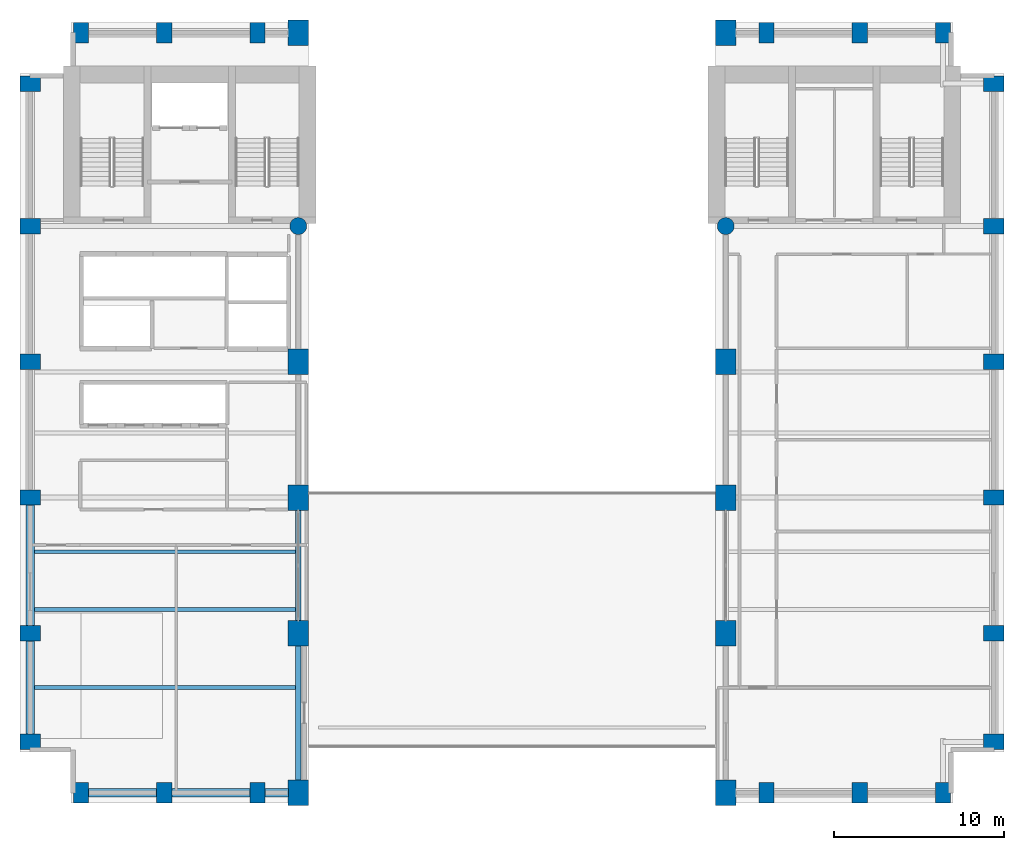
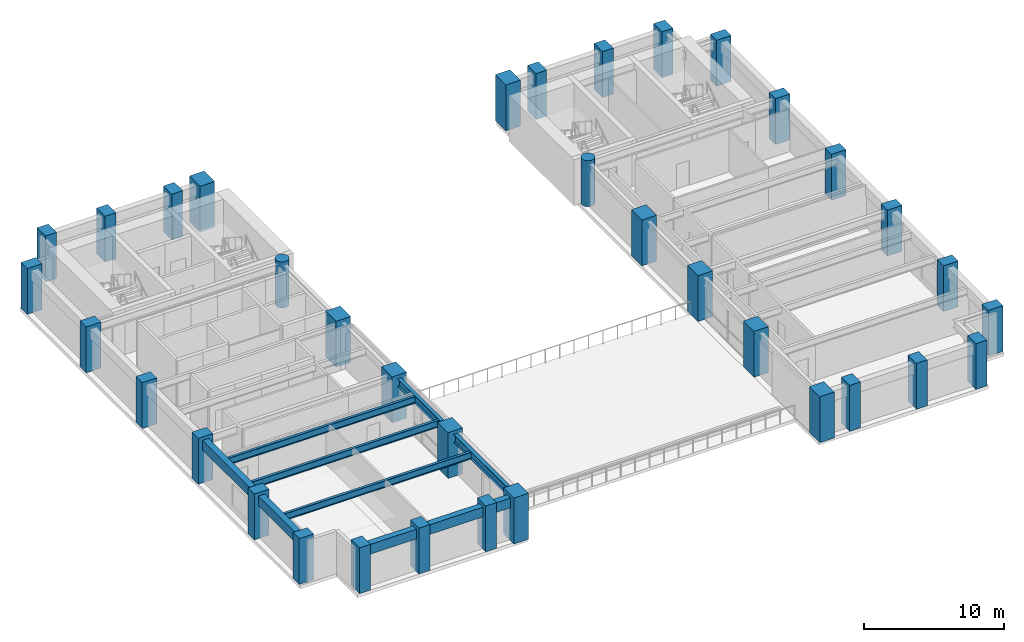
# One storey, part 1 of 10: 36 columns, 9 beams.
"""IFC4 building model written with IfcOpenShell, lengths in metres."""

import ifcopenshell
import ifcopenshell.guid

model = None  # the IFC model being written
_history = None  # IfcOwnerHistory: only IFC2X3 demands one
_inside = {}  # id of a spatial element -> (the spatial element, [elements in it])
_under = {}  # id of a project, library or spatial element -> (it, [spatial elements below it])
_declared = {}  # id of a project -> (the project, [libraries it declares])
_typed = {}  # id of a type object -> (the type object, [elements of that type])
_made_of = {}  # id of a material, layer set ... -> (it, [elements and type objects made of it])


def new_model(schema):
    """Start an empty IFC model of exactly this schema.

    Asked for "IFC4X3", IfcOpenShell would pick the latest addendum, in which some entities
    have other attributes; the version numbers below select the first issue.
    IFC2X3 requires an IfcOwnerHistory on every rooted entity: one is made here for all.
    """
    global model, _history
    if schema == "IFC4X3":
        model = ifcopenshell.file(schema_version=(4, 3, 0, 0))
    else:
        model = ifcopenshell.file(schema=schema)
    _inside.clear()
    _under.clear()
    _declared.clear()
    _typed.clear()
    _made_of.clear()
    _history = None
    if model.schema == "IFC2X3":
        org = make("IfcOrganization", Name="unknown")
        user = make(
            "IfcPersonAndOrganization",
            ThePerson=make("IfcPerson", FamilyName="unknown"),
            TheOrganization=org,
        )
        app = make(
            "IfcApplication",
            ApplicationDeveloper=org,
            Version="unknown",
            ApplicationFullName="unknown",
            ApplicationIdentifier="unknown",
        )
        _history = make(
            "IfcOwnerHistory",
            OwningUser=user,
            OwningApplication=app,
            ChangeAction="ADDED",
            CreationDate=0,
        )
    return model


def make(cls, **values):
    """One entity of the class cls with the attributes given. An attribute that is None is left unset."""
    return model.create_entity(
        cls, **{name: value for name, value in values.items() if value is not None}
    )


def rooted(cls, **values):
    """An entity with a GlobalId (a new one), such as an element, a storey or a relation."""
    return make(cls, GlobalId=ifcopenshell.guid.new(), OwnerHistory=_history, **values)


def si_unit(unit_type, name, prefix=None):
    """IfcSIUnit, for example si_unit("LENGTHUNIT", "METRE", prefix="MILLI")."""
    return make("IfcSIUnit", UnitType=unit_type, Prefix=prefix, Name=name)


def assignment(units):
    """IfcUnitAssignment: the units of a project."""
    return None if units is None else make("IfcUnitAssignment", Units=units)


def point(xyz):
    """IfcCartesianPoint."""
    return None if xyz is None else make("IfcCartesianPoint", Coordinates=xyz)


def direction(xyz):
    """IfcDirection."""
    return None if xyz is None else make("IfcDirection", DirectionRatios=xyz)


def frame(location, z_axis=None, x_axis=None):
    """IfcAxis2Placement3D, a coordinate frame: its origin and axes. An axis left out is left unset."""
    return make(
        "IfcAxis2Placement3D",
        Location=point(location),
        Axis=direction(z_axis),
        RefDirection=direction(x_axis),
    )


def frame_2d(location, x_axis=None):
    """IfcAxis2Placement2D, a coordinate frame in the plane: its origin and x axis."""
    return make(
        "IfcAxis2Placement2D", Location=point(location), RefDirection=direction(x_axis)
    )


def origin():
    """The frame at (0, 0, 0) with its axes left unset."""
    return frame((0.0, 0.0, 0.0))


def origin_2d():
    """The frame at (0, 0) in the plane with its x axis left unset."""
    return frame_2d((0.0, 0.0))


def place(relative_to, where):
    """IfcLocalPlacement: puts the frame where relative to a parent placement (None: the world)."""
    return make(
        "IfcLocalPlacement", PlacementRelTo=relative_to, RelativePlacement=where
    )


def context(
    kind, dimensions, precision=None, world=None, true_north=None, identifier=None
):
    """IfcGeometricRepresentationContext, for example the 3D "Model" context."""
    return make(
        "IfcGeometricRepresentationContext",
        ContextIdentifier=identifier,
        ContextType=kind,
        CoordinateSpaceDimension=dimensions,
        Precision=precision,
        WorldCoordinateSystem=world,
        TrueNorth=true_north,
    )


def subcontext(parent, identifier, kind, view, scale=None):
    """IfcGeometricRepresentationSubContext, for example "Body" below "Model"."""
    return make(
        "IfcGeometricRepresentationSubContext",
        ContextIdentifier=identifier,
        ContextType=kind,
        ParentContext=parent,
        TargetScale=scale,
        TargetView=view,
    )


def project(units=None, contexts=None):
    """IfcProject with its units and contexts."""
    return rooted(
        "IfcProject",
        Name="project",
        RepresentationContexts=contexts,
        UnitsInContext=assignment(units),
    )


def spatial(cls, under=None, at=None, **own):
    """A site, building, storey or space (cls), placed at a placement, below another one or the project."""
    s = rooted(cls, ObjectPlacement=at, **own)
    if under is not None:
        _under.setdefault(under.id(), (under, []))[1].append(s)
    return s


def profile(cls, at=None, kind="AREA", **sizes):
    """A parametric profile (cls). Its sizes go by their IFC names, for example OverallWidth=200.0."""
    return make(cls, ProfileType=kind, Position=at, **sizes)


def rectangle(**sizes):
    """IfcRectangleProfileDef."""
    return profile("IfcRectangleProfileDef", **sizes)


def circle(**sizes):
    """IfcCircleProfileDef."""
    return profile("IfcCircleProfileDef", **sizes)


def i_section(**sizes):
    """IfcIShapeProfileDef."""
    return profile("IfcIShapeProfileDef", **sizes)


def extrude(swept, where, along, depth):
    """IfcExtrudedAreaSolid: the profile swept, set in the frame where, extruded along a direction by depth."""
    return make(
        "IfcExtrudedAreaSolid",
        SweptArea=swept,
        Position=where,
        ExtrudedDirection=direction(along),
        Depth=depth,
    )


def shape(context_of_items, identifier, shape_type, items):
    """IfcShapeRepresentation: the items that make up one representation, for example the "Body"."""
    return make(
        "IfcShapeRepresentation",
        ContextOfItems=context_of_items,
        RepresentationIdentifier=identifier,
        RepresentationType=shape_type,
        Items=items,
    )


def material(Name=None, Category=None):
    """IfcMaterial."""
    return make("IfcMaterial", Name=Name, Category=Category)


def material_profile(
    of_material, cross_section, Name=None, Category=None, Priority=None
):
    """IfcMaterialProfile: a cross section and its material."""
    return make(
        "IfcMaterialProfile",
        Name=Name,
        Material=of_material,
        Profile=cross_section,
        Priority=Priority,
        Category=Category,
    )


def profile_set(profiles, Name=None, composite=None):
    """IfcMaterialProfileSet."""
    return make(
        "IfcMaterialProfileSet",
        Name=Name,
        MaterialProfiles=profiles,
        CompositeProfile=composite,
    )


def made_of(thing, what):
    """Note that an element or type object is made of a material, layer set ...; save() writes the relation."""
    if what is not None:
        _made_of.setdefault(what.id(), (what, []))[1].append(thing)
    return thing


def type_object(cls, material=None, **own):
    """A type object (cls), such as IfcWallType, which elements share."""
    return made_of(rooted(cls, **own), material)


def element(
    cls,
    number,
    at=None,
    inside=None,
    cuts=None,
    type_object=None,
    material=None,
    context=None,
    identifier="Body",
    shape_type=None,
    held_by="IfcProductDefinitionShape",
    body=None,
    shapes=None,
    **own,
):
    """One element of the class cls, such as IfcWall. Its Tag is "e" and its number.

    at: its placement. inside: the storey or other place that contains it. cuts: it is an
    opening in that element (IfcRelVoidsElement). A single representation is given by context,
    identifier, shape_type and body (its items); several are given by shapes. held_by: the class
    of the entity that holds the representations. save() writes the other relations.
    """
    e = rooted(cls, Tag="e%d" % number, ObjectPlacement=at, **own)
    if body is not None:
        shapes = [shape(context, identifier, shape_type, body)]
    if shapes is not None:
        e.Representation = make(held_by, Representations=shapes)
    if inside is not None:
        _inside.setdefault(inside.id(), (inside, []))[1].append(e)
    if cuts is not None:
        rooted(
            "IfcRelVoidsElement", RelatingBuildingElement=cuts, RelatedOpeningElement=e
        )
    if type_object is not None:
        _typed.setdefault(type_object.id(), (type_object, []))[1].append(e)
    return made_of(e, material)


def aggregate(whole, parts):
    """IfcRelAggregates: a whole, such as a stair, and the parts it consists of."""
    return rooted("IfcRelAggregates", RelatingObject=whole, RelatedObjects=parts)


def save(model, path):
    """Write the relations noted so far, then the file.

    IfcRelAggregates (storeys below a building ...), IfcRelContainedInSpatialStructure (elements
    in a storey), IfcRelDefinesByType, IfcRelAssociatesMaterial and IfcRelDeclares: one each for
    every whole, place, type object, material and project.
    """
    for whole, parts in _under.values():
        aggregate(whole, parts)
    for where, things in _inside.values():
        rooted(
            "IfcRelContainedInSpatialStructure",
            RelatedElements=things,
            RelatingStructure=where,
        )
    for kind, things in _typed.values():
        rooted("IfcRelDefinesByType", RelatedObjects=things, RelatingType=kind)
    for what, things in _made_of.values():
        rooted("IfcRelAssociatesMaterial", RelatedObjects=things, RelatingMaterial=what)
    for by, libraries in _declared.values():
        rooted("IfcRelDeclares", RelatingContext=by, RelatedDefinitions=libraries)
    model.write(path)


model = new_model("IFC4")

# Units and contexts
model_context = context("Model", 3, precision=1e-05, world=origin(), true_north=direction((0.0, 1.0)))
body_context = subcontext(model_context, "Body", "Model", "MODEL_VIEW")
ifc_project = project(units=[si_unit("LENGTHUNIT", "METRE"), si_unit("AREAUNIT", "SQUARE_METRE"), si_unit("VOLUMEUNIT", "CUBIC_METRE"), si_unit("PLANEANGLEUNIT", "RADIAN"), si_unit("MASSUNIT", "GRAM", prefix="KILO")], contexts=[model_context])

# Site, building, storey
site_placement = place(None, origin())
site = spatial("IfcSite", under=ifc_project, at=site_placement, CompositionType="ELEMENT")
building_placement = place(site_placement, origin())
building = spatial("IfcBuilding", under=site, at=building_placement, Name="Sulina Concourse Tower", CompositionType="ELEMENT")
storey_placement = place(building_placement, frame((0.0, 0.0, 22.60009765625)))
storey = spatial("IfcBuildingStorey", under=building, at=storey_placement, Name="L05", CompositionType="ELEMENT", Elevation=22.60009765625)

# Columns
ifc_material_1 = material(Name="Concrete C60/75", Category="concrete")
ifc_material_profile_1 = material_profile(ifc_material_1, circle(Radius=0.5, at=origin_2d()), Name="RC D1000")
ifc_profile_set_1 = profile_set([ifc_material_profile_1], Name="Concrete C60/75")
column_type_1 = type_object("IfcColumnType", Name="Lower Interior Circular Column D1000", PredefinedType="COLUMN", material=ifc_profile_set_1)
for number, where, z_axis, x_axis, name in (
    (1, (16.39990234375, 34.0, 0.0), (0.0, 0.0, 1.0), (1.0, 0.0, 0.0), "L05 structural column IC-N-164"),
    (2, (41.60009765625, 34.0, 0.0), (0.0, 0.0, 1.0), (1.0, 0.0, 0.0), "L05 structural column IC-N-416"),
):
    element("IfcColumn", number, at=place(storey_placement, frame(where, z_axis=z_axis, x_axis=x_axis)), inside=storey, type_object=column_type_1, Name=name, PredefinedType="COLUMN", context=body_context, shape_type="SweptSolid", body=[
        extrude(circle(Radius=0.5, at=origin_2d()), origin(), (0.0, 0.0, 1.0), 4.0),
    ])
ifc_material_2 = material(Name="Concrete C80/95", Category="concrete")
ifc_material_profile_2 = material_profile(ifc_material_2, rectangle(XDim=1.199951171875, YDim=1.5, at=origin_2d()), Name="RC 1200x1500")
ifc_profile_set_2 = profile_set([ifc_material_profile_2], Name="Concrete C80/95")
column_type_2 = type_object("IfcColumnType", Name="Lower Portal End-Leg Column 1200x1500", PredefinedType="COLUMN", material=ifc_profile_set_2)
for number, where, z_axis, x_axis, name in (
    (3, (16.39990234375, 0.60009765625, 0.0), (0.0, 0.0, 1.0), (1.0, 0.0, 0.0), "L05 structural column TP-S-164"),
    (4, (16.39990234375, 45.39990234375, 0.0), (0.0, 0.0, 1.0), (1.0, 0.0, 0.0), "L05 structural column TP-N-164"),
    (5, (41.60009765625, 0.60009765625, 0.0), (0.0, 0.0, 1.0), (1.0, 0.0, 0.0), "L05 structural column TP-S-416"),
    (6, (41.60009765625, 45.39990234375, 0.0), (0.0, 0.0, 1.0), (1.0, 0.0, 0.0), "L05 structural column TP-N-416"),
    (7, (16.39990234375, 10.0, 0.0), (0.0, 0.0, 1.0), (1.0, 0.0, 0.0), "L05 structural column LP-FW-10"),
    (8, (41.60009765625, 10.0, 0.0), (0.0, 0.0, 1.0), (1.0, 0.0, 0.0), "L05 structural column LP-FE-10"),
    (9, (16.39990234375, 18.0, 0.0), (0.0, 0.0, 1.0), (1.0, 0.0, 0.0), "L05 structural column LP-FW-18"),
    (10, (41.60009765625, 18.0, 0.0), (0.0, 0.0, 1.0), (1.0, 0.0, 0.0), "L05 structural column LP-FE-18"),
    (11, (16.39990234375, 26.0, 0.0), (0.0, 0.0, 1.0), (1.0, 0.0, 0.0), "L05 structural column LP-FW-26"),
    (12, (41.60009765625, 26.0, 0.0), (0.0, 0.0, 1.0), (1.0, 0.0, 0.0), "L05 structural column LP-FE-26"),
):
    element("IfcColumn", number, at=place(storey_placement, frame(where, z_axis=z_axis, x_axis=x_axis)), inside=storey, type_object=column_type_2, Name=name, PredefinedType="COLUMN", context=body_context, shape_type="SweptSolid", body=[
        extrude(rectangle(XDim=1.199951171875, YDim=1.5, at=origin_2d()), origin(), (0.0, 0.0, 1.0), 4.0),
    ])
ifc_material_3 = material(Name="Precast concrete C60/75", Category="concrete")
ifc_material_profile_3 = material_profile(ifc_material_3, rectangle(XDim=0.89990234375, YDim=1.199951171875, at=origin_2d()), Name="PC 900x1200")
ifc_profile_set_3 = profile_set([ifc_material_profile_3], Name="Precast concrete C60/75")
column_type_3 = type_object("IfcColumnType", Name="Precast Tube Pier Zone 1 900x1200", PredefinedType="COLUMN", material=ifc_profile_set_3)
for number, where, z_axis, x_axis, name in (
    (13, (3.60009765625, 0.60009765625, 0.0), (0.0, 0.0, 1.0), (1.0, 0.0, 0.0), "L05 structural column TP-S-36"),
    (14, (3.60009765625, 45.39990234375, 0.0), (0.0, 0.0, 1.0), (1.0, 0.0, 0.0), "L05 structural column TP-N-36"),
    (15, (8.5, 0.60009765625, 0.0), (0.0, 0.0, 1.0), (1.0, 0.0, 0.0), "L05 structural column TP-S-85"),
    (16, (8.5, 45.39990234375, 0.0), (0.0, 0.0, 1.0), (1.0, 0.0, 0.0), "L05 structural column TP-N-85"),
    (17, (14.0, 0.60009765625, 0.0), (0.0, 0.0, 1.0), (1.0, 0.0, 0.0), "L05 structural column TP-S-140"),
    (18, (14.0, 45.39990234375, 0.0), (0.0, 0.0, 1.0), (1.0, 0.0, 0.0), "L05 structural column TP-N-140"),
    (19, (44.0, 0.60009765625, 0.0), (0.0, 0.0, 1.0), (1.0, 0.0, 0.0), "L05 structural column TP-S-440"),
    (20, (44.0, 45.39990234375, 0.0), (0.0, 0.0, 1.0), (1.0, 0.0, 0.0), "L05 structural column TP-N-440"),
    (21, (49.5, 0.60009765625, 0.0), (0.0, 0.0, 1.0), (1.0, 0.0, 0.0), "L05 structural column TP-S-495"),
    (22, (49.5, 45.39990234375, 0.0), (0.0, 0.0, 1.0), (1.0, 0.0, 0.0), "L05 structural column TP-N-495"),
    (23, (54.39990234375, 0.60009765625, 0.0), (0.0, 0.0, 1.0), (1.0, 0.0, 0.0), "L05 structural column TP-S-544"),
    (24, (54.39990234375, 45.39990234375, 0.0), (0.0, 0.0, 1.0), (1.0, 0.0, 0.0), "L05 structural column TP-N-544"),
    (25, (0.60009765625, 3.60009765625, 0.0), (0.0, 0.0, 1.0), (0.0, 1.0, 0.0), "L05 structural column TP-W-36"),
    (26, (57.39990234375, 3.60009765625, 0.0), (0.0, 0.0, 1.0), (0.0, 1.0, 0.0), "L05 structural column TP-E-36"),
    (27, (0.60009765625, 10.0, 0.0), (0.0, 0.0, 1.0), (0.0, 1.0, 0.0), "L05 structural column TP-W-100"),
    (28, (57.39990234375, 10.0, 0.0), (0.0, 0.0, 1.0), (0.0, 1.0, 0.0), "L05 structural column TP-E-100"),
    (29, (0.60009765625, 18.0, 0.0), (0.0, 0.0, 1.0), (0.0, 1.0, 0.0), "L05 structural column TP-W-180"),
    (30, (57.39990234375, 18.0, 0.0), (0.0, 0.0, 1.0), (0.0, 1.0, 0.0), "L05 structural column TP-E-180"),
    (31, (0.60009765625, 26.0, 0.0), (0.0, 0.0, 1.0), (0.0, 1.0, 0.0), "L05 structural column TP-W-260"),
    (32, (57.39990234375, 26.0, 0.0), (0.0, 0.0, 1.0), (0.0, 1.0, 0.0), "L05 structural column TP-E-260"),
    (33, (0.60009765625, 34.0, 0.0), (0.0, 0.0, 1.0), (0.0, 1.0, 0.0), "L05 structural column TP-W-340"),
    (34, (57.39990234375, 34.0, 0.0), (0.0, 0.0, 1.0), (0.0, 1.0, 0.0), "L05 structural column TP-E-340"),
    (35, (0.60009765625, 42.39990234375, 0.0), (0.0, 0.0, 1.0), (0.0, 1.0, 0.0), "L05 structural column TP-W-424"),
    (36, (57.39990234375, 42.39990234375, 0.0), (0.0, 0.0, 1.0), (0.0, 1.0, 0.0), "L05 structural column TP-E-424"),
):
    element("IfcColumn", number, at=place(storey_placement, frame(where, z_axis=z_axis, x_axis=x_axis)), inside=storey, type_object=column_type_3, Name=name, PredefinedType="COLUMN", context=body_context, shape_type="SweptSolid", body=[
        extrude(rectangle(XDim=0.89990234375, YDim=1.199951171875, at=origin_2d()), origin(), (0.0, 0.0, 1.0), 4.0),
    ])

# Beams
ifc_material_4 = material(Name="Steel S355", Category="steel")
ifc_material_profile_4 = material_profile(ifc_material_4, i_section(OverallWidth=0.219970703125, OverallDepth=0.60009765625, WebThickness=0.011962890625, FlangeThickness=0.01904296875, at=origin_2d()), Name="IPE 600")
ifc_profile_set_4 = profile_set([ifc_material_profile_4], Name="Steel S355")
beam_type_1 = type_object("IfcBeamType", Name="Composite Floor Joist IPE600", PredefinedType="JOIST", material=ifc_profile_set_4)
for number, where, z_axis, x_axis, name in (
    (37, (0.85009765625, 6.800048828125, 3.39990234375), (1.0, 0.0, 0.0), (0.0, 1.0, 0.0), "FJ-J06-1-L05"),
    (38, (0.85009765625, 11.39990234375, 3.39990234375), (1.0, 0.0, 0.0), (0.0, 1.0, 0.0), "FJ-J11-1-L05"),
    (39, (0.85009765625, 14.800048828125, 3.39990234375), (1.0, 0.0, 0.0), (0.0, 1.0, 0.0), "FJ-J15-1-L05"),
):
    element("IfcBeam", number, at=place(storey_placement, frame(where, z_axis=z_axis, x_axis=x_axis)), inside=storey, type_object=beam_type_1, Name=name, PredefinedType="JOIST", context=body_context, shape_type="SweptSolid", body=[
        extrude(i_section(OverallWidth=0.219970703125, OverallDepth=0.60009765625, WebThickness=0.011962890625, FlangeThickness=0.01904296875, at=origin_2d()), origin(), (0.0, 0.0, 1.0), 15.39990234375),
    ])
ifc_material_5 = material(Name="Steel S355", Category="steel")
ifc_material_profile_5 = material_profile(ifc_material_5, i_section(OverallWidth=0.300048828125, OverallDepth=0.699951171875, WebThickness=0.01708984375, FlangeThickness=0.031982421875, at=origin_2d()), Name="HE 700 B")
ifc_profile_set_5 = profile_set([ifc_material_profile_5], Name="Steel S355")
beam_type_2 = type_object("IfcBeamType", Name="Floor Primary Girder Zone 1 HE700B", PredefinedType="BEAM", material=ifc_profile_set_5)
beam_1_placement = place(storey_placement, frame((16.39990234375, 1.179931640625, 3.349853515625), z_axis=(0.0, 1.0, 0.0), x_axis=(-1.0, 0.0, 0.0)))
element("IfcBeam", 40, at=beam_1_placement, inside=storey, type_object=beam_type_2, Name="FG-NSA-16-L05", PredefinedType="BEAM", context=body_context, shape_type="SweptSolid", body=[
    extrude(i_section(OverallWidth=0.300048828125, OverallDepth=0.699951171875, WebThickness=0.01708984375, FlangeThickness=0.031982421875, at=origin_2d()), origin(), (0.0, 0.0, 1.0), 16.239990234375),
])
ifc_material_6 = material(Name="Precast concrete C50/60", Category="concrete")
ifc_material_profile_6 = material_profile(ifc_material_6, rectangle(XDim=0.5, YDim=0.85009765625, at=origin_2d()), Name="RC 500x850")
ifc_profile_set_6 = profile_set([ifc_material_profile_6], Name="Precast concrete C50/60")
beam_type_3 = type_object("IfcBeamType", Name="Lower Precast Spandrel Edge Beam 500x850", PredefinedType="BEAM", material=ifc_profile_set_6)
beam_2_placement = place(storey_placement, frame((4.030029296875, 0.60009765625, 3.27490234375), z_axis=(1.0, 0.0, 0.0), x_axis=(0.0, 1.0, 0.0)))
element("IfcBeam", 41, at=beam_2_placement, inside=storey, type_object=beam_type_3, Name="SP-S1-L05", PredefinedType="BEAM", context=body_context, shape_type="SweptSolid", body=[
    extrude(rectangle(XDim=0.5, YDim=0.85009765625, at=origin_2d()), origin(), (0.0, 0.0, 1.0), 4.0400390625),
])
beam_3_placement = place(storey_placement, frame((8.929931640625, 0.60009765625, 3.27490234375), z_axis=(1.0, 0.0, 0.0), x_axis=(0.0, 1.0, 0.0)))
element("IfcBeam", 42, at=beam_3_placement, inside=storey, type_object=beam_type_3, Name="SP-S2-L05", PredefinedType="BEAM", context=body_context, shape_type="SweptSolid", body=[
    extrude(rectangle(XDim=0.5, YDim=0.85009765625, at=origin_2d()), origin(), (0.0, 0.0, 1.0), 4.64013671875),
])
beam_4_placement = place(storey_placement, frame((14.429931640625, 0.60009765625, 3.27490234375), z_axis=(1.0, 0.0, 0.0), x_axis=(0.0, 1.0, 0.0)))
element("IfcBeam", 43, at=beam_4_placement, inside=storey, type_object=beam_type_3, Name="SP-S3-L05", PredefinedType="BEAM", context=body_context, shape_type="SweptSolid", body=[
    extrude(rectangle(XDim=0.5, YDim=0.85009765625, at=origin_2d()), origin(), (0.0, 0.0, 1.0), 1.39013671875),
])
beam_5_placement = place(storey_placement, frame((0.60009765625, 4.030029296875, 3.27490234375), z_axis=(0.0, 1.0, 0.0), x_axis=(-1.0, 0.0, 0.0)))
element("IfcBeam", 44, at=beam_5_placement, inside=storey, type_object=beam_type_3, Name="SP-W1-L05", PredefinedType="BEAM", context=body_context, shape_type="SweptSolid", body=[
    extrude(rectangle(XDim=0.5, YDim=0.85009765625, at=origin_2d()), origin(), (0.0, 0.0, 1.0), 5.5400390625),
])
beam_6_placement = place(storey_placement, frame((0.60009765625, 10.429931640625, 3.27490234375), z_axis=(0.0, 1.0, 0.0), x_axis=(-1.0, 0.0, 0.0)))
element("IfcBeam", 45, at=beam_6_placement, inside=storey, type_object=beam_type_3, Name="SP-W2-L05", PredefinedType="BEAM", context=body_context, shape_type="SweptSolid", body=[
    extrude(rectangle(XDim=0.5, YDim=0.85009765625, at=origin_2d()), origin(), (0.0, 0.0, 1.0), 7.14013671875),
])

save(model, "model.ifc")
